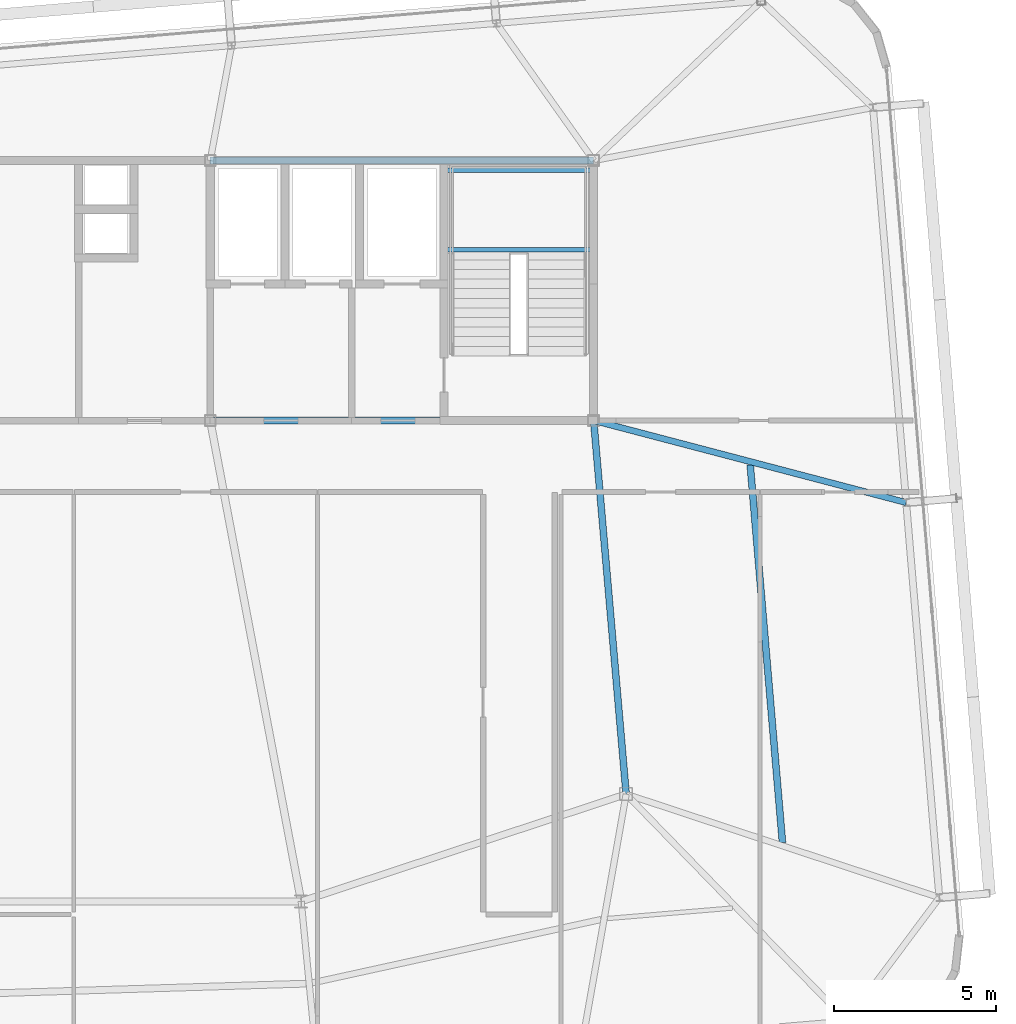
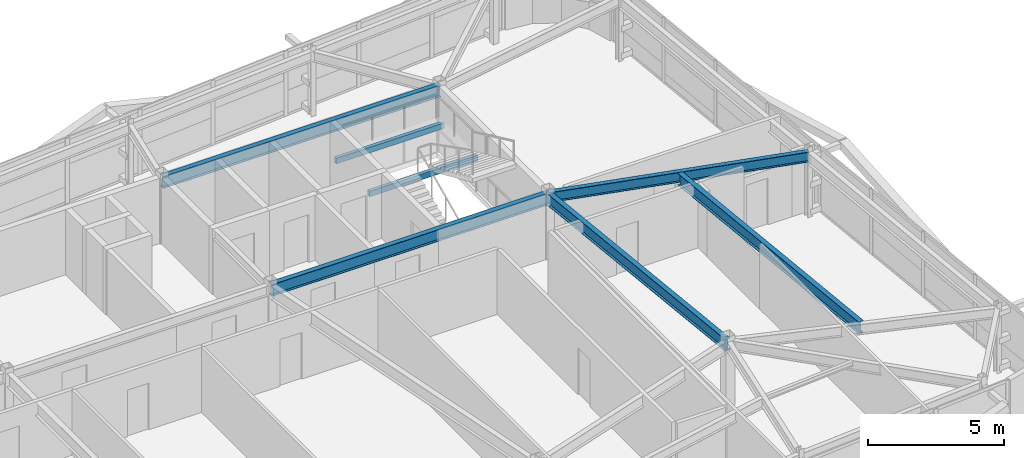
# One storey, part 24 of 46: 7 beams.
"""IFC4 building model written with IfcOpenShell, lengths in metres."""

from ifc_helpers import new_model, si_unit, direction, frame, origin, origin_2d, place, context, subcontext, project, spatial, hollow_rectangle, i_section, extrude, source, transform, mapped, material, material_profile, profile_set, type_object, element, save


model = new_model("IFC4")

# Units and contexts
model_context = context("Model", 3, precision=1e-05, world=origin(), true_north=direction((0.0, 1.0)))
body_context = subcontext(model_context, "Body", "Model", "MODEL_VIEW")
ifc_project = project(units=[si_unit("LENGTHUNIT", "METRE"), si_unit("AREAUNIT", "SQUARE_METRE"), si_unit("VOLUMEUNIT", "CUBIC_METRE"), si_unit("PLANEANGLEUNIT", "RADIAN"), si_unit("MASSUNIT", "GRAM", prefix="KILO")], contexts=[model_context])

# Site, building, storey
site_placement = place(None, origin())
site = spatial("IfcSite", under=ifc_project, at=site_placement, CompositionType="ELEMENT")
building_placement = place(site_placement, origin())
building = spatial("IfcBuilding", under=site, at=building_placement, Name="Taldren Reach Tower", CompositionType="ELEMENT")
storey_placement = place(building_placement, frame((0.0, 0.0, 185.14990234375)))
storey = spatial("IfcBuildingStorey", under=building, at=storey_placement, Name="L56", CompositionType="ELEMENT", Elevation=185.14990234375)

# Beams
ifc_material_1 = material(Name="Steel Gr 350 (350PLUS)", Category="steel")
ifc_material_profile_1 = material_profile(ifc_material_1, i_section(OverallWidth=0.208984375, OverallDepth=0.532958984375, WebThickness=0.01025390625, FlangeThickness=0.015625, at=origin_2d()), Name="530UB92.4")
ifc_profile_set_1 = profile_set([ifc_material_profile_1], Name="Steel Gr 350 (350PLUS)")
beam_type_1 = type_object("IfcBeamType", Name="BM-UB530A", PredefinedType="BEAM", material=ifc_profile_set_1)
shared_shape_1 = source(origin(), body_context, "Body", "SweptSolid", [
    extrude(i_section(OverallWidth=0.208984375, OverallDepth=0.532958984375, WebThickness=0.01025390625, FlangeThickness=0.015625, at=origin_2d()), origin(), (0.0, 0.0, 1.0), 11.800048828125),
])
for number, where, z_axis, x_axis, name in (
    (1, (39.199951171875, 24.0, 2.66357421875), (1.0, 0.0, 0.0), (0.0, 1.0, 0.0), "Core-spine girder L56-SP03"),
    (2, (39.199951171875, 32.0, 2.66357421875), (1.0, 0.0, 0.0), (0.0, 1.0, 0.0), "Core-spine girder L56-SP06"),
):
    element("IfcBeam", number, at=place(storey_placement, frame(where, z_axis=z_axis, x_axis=x_axis)), inside=storey, type_object=beam_type_1, Name=name, PredefinedType="BEAM", context=body_context, shape_type="MappedRepresentation", body=[
        mapped(shared_shape_1, transform((0.0, 0.0, 0.0), scale=1.0)),
    ])
shared_shape_2 = source(origin(), body_context, "Body", "SweptSolid", [
    extrude(i_section(OverallWidth=0.208984375, OverallDepth=0.532958984375, WebThickness=0.01025390625, FlangeThickness=0.015625, at=origin_2d()), origin(), (0.0, 0.0, 1.0), 11.54345703125),
])
beam_1_placement = place(storey_placement, frame((52.0, 12.5, 2.66357421875), z_axis=(-0.086629616365, 0.996240588196, 0.0), x_axis=(-0.996240588196, -0.086629616365, 0.0)))
element("IfcBeam", 3, at=beam_1_placement, inside=storey, type_object=beam_type_1, Name="Core-spine girder L56-SP13", PredefinedType="BEAM", context=body_context, shape_type="MappedRepresentation", body=[
    mapped(shared_shape_2, transform((0.0, 0.0, 0.0), scale=1.0)),
])
ifc_material_profile_2 = material_profile(ifc_material_1, i_section(OverallWidth=0.19091796875, OverallDepth=0.4599609375, WebThickness=0.010009765625, FlangeThickness=0.01611328125, at=origin_2d()), Name="460UB82.1")
ifc_profile_set_2 = profile_set([ifc_material_profile_2], Name="Steel Gr 350 (350PLUS)")
beam_type_2 = type_object("IfcBeamType", Name="BM-UB460A", PredefinedType="BEAM", material=ifc_profile_set_2)
shared_shape_3 = source(origin(), body_context, "Body", "SweptSolid", [
    extrude(i_section(OverallWidth=0.19091796875, OverallDepth=0.4599609375, WebThickness=0.010009765625, FlangeThickness=0.01611328125, at=origin_2d()), origin(), (0.0, 0.0, 1.0), 9.943115234375),
])
beam_2_placement = place(storey_placement, frame((51.0, 24.0, 2.7001953125), z_axis=(0.967215285987, -0.253957851923, 0.0), x_axis=(0.253957851923, 0.967215285987, 0.0)))
element("IfcBeam", 4, at=beam_2_placement, inside=storey, type_object=beam_type_2, Name="Primary floor girder B4-E2 L56", PredefinedType="BEAM", context=body_context, shape_type="MappedRepresentation", body=[
    mapped(shared_shape_3, transform((0.0, 0.0, 0.0), scale=1.0)),
])
shared_shape_4 = source(origin(), body_context, "Body", "SweptSolid", [
    extrude(i_section(OverallWidth=0.208984375, OverallDepth=0.532958984375, WebThickness=0.01025390625, FlangeThickness=0.015625, at=origin_2d()), origin(), (0.0, 0.0, 1.0), 11.66650390625),
])
beam_3_placement = place(storey_placement, frame((56.810302734375, 11.01220703125, 2.66357421875), z_axis=(-0.085128704566, 0.996369963246, 0.0), x_axis=(-0.996369963246, -0.085128704566, 0.0)))
element("IfcBeam", 5, at=beam_3_placement, inside=storey, type_object=beam_type_1, Name="Secondary floor beam B4 J7 L56", PredefinedType="BEAM", context=body_context, shape_type="MappedRepresentation", body=[
    mapped(shared_shape_4, transform((0.0, 0.0, 0.0), scale=1.0)),
])
ifc_material_2 = material(Name="Steel Gr 350 (C350L0)", Category="steel")
ifc_material_profile_3 = material_profile(ifc_material_2, hollow_rectangle(XDim=0.14990234375, YDim=0.25, WallThickness=0.009033203125, at=origin_2d()), Name="250x150x9.0RHS")
ifc_profile_set_3 = profile_set([ifc_material_profile_3], Name="Steel Gr 350 (C350L0)")
beam_type_3 = type_object("IfcBeamType", Name="LN-RHS250", PredefinedType="LINTEL", material=ifc_profile_set_3)
shared_shape_5 = source(origin(), body_context, "Body", "SweptSolid", [
    extrude(hollow_rectangle(XDim=0.14990234375, YDim=0.25, WallThickness=0.009033203125, at=origin_2d()), origin(), (0.0, 0.0, 1.0), 4.60009765625),
])
for number, where, z_axis, x_axis, name in (
    (6, (46.39990234375, 29.2548828125, 1.27001953125), (1.0, 0.0, 0.0), (0.0, 1.0, 0.0), "Stair half-landing support beam ST2-L56-1"),
    (7, (46.39990234375, 31.699951171875, 1.27001953125), (1.0, 0.0, 0.0), (0.0, 1.0, 0.0), "Stair half-landing support beam ST2-L56-2"),
):
    element("IfcBeam", number, at=place(storey_placement, frame(where, z_axis=z_axis, x_axis=x_axis)), inside=storey, type_object=beam_type_3, Name=name, PredefinedType="LINTEL", context=body_context, shape_type="MappedRepresentation", body=[
        mapped(shared_shape_5, transform((0.0, 0.0, 0.0), scale=1.0)),
    ])

save(model, "model.ifc")
